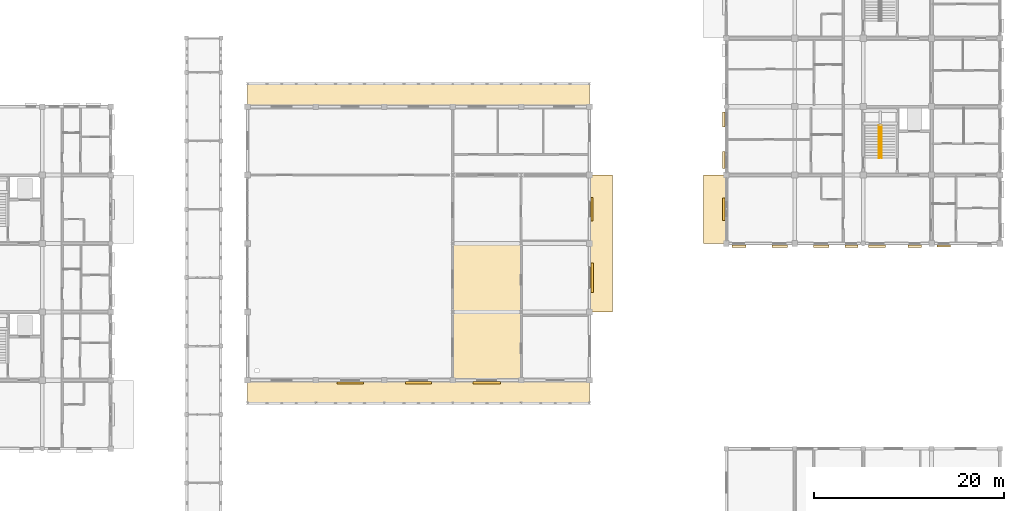
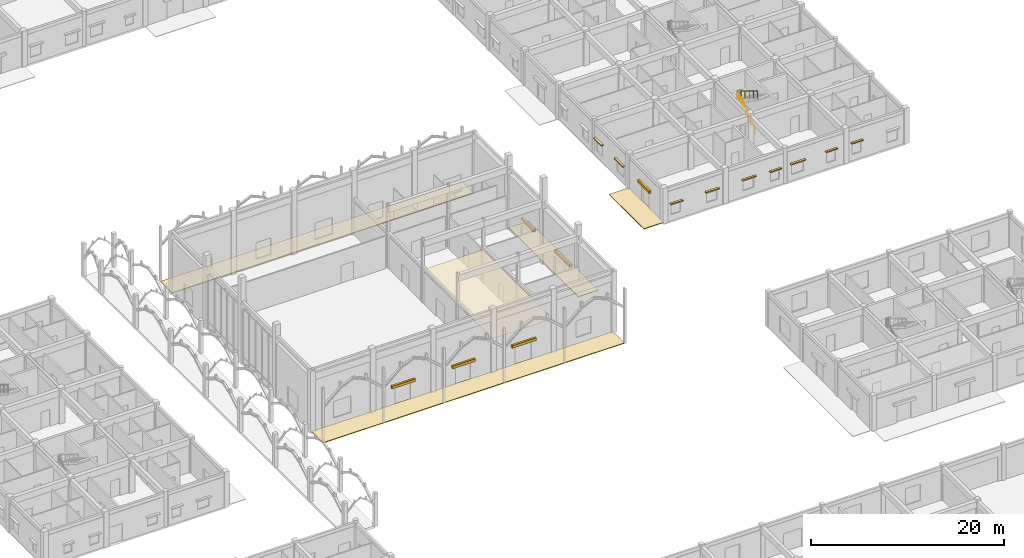
# One storey, part 132 of 138: 20 coverings, 2 railings.
"""IFC4 building model written with IfcOpenShell, lengths in metres."""

import ifcopenshell
import ifcopenshell.guid

model = None  # the IFC model being written
_history = None  # IfcOwnerHistory: only IFC2X3 demands one
_inside = {}  # id of a spatial element -> (the spatial element, [elements in it])
_under = {}  # id of a project, library or spatial element -> (it, [spatial elements below it])
_declared = {}  # id of a project -> (the project, [libraries it declares])
_typed = {}  # id of a type object -> (the type object, [elements of that type])
_made_of = {}  # id of a material, layer set ... -> (it, [elements and type objects made of it])


def new_model(schema):
    """Start an empty IFC model of exactly this schema.

    Asked for "IFC4X3", IfcOpenShell would pick the latest addendum, in which some entities
    have other attributes; the version numbers below select the first issue.
    IFC2X3 requires an IfcOwnerHistory on every rooted entity: one is made here for all.
    """
    global model, _history
    if schema == "IFC4X3":
        model = ifcopenshell.file(schema_version=(4, 3, 0, 0))
    else:
        model = ifcopenshell.file(schema=schema)
    _inside.clear()
    _under.clear()
    _declared.clear()
    _typed.clear()
    _made_of.clear()
    _history = None
    if model.schema == "IFC2X3":
        org = make("IfcOrganization", Name="unknown")
        user = make(
            "IfcPersonAndOrganization",
            ThePerson=make("IfcPerson", FamilyName="unknown"),
            TheOrganization=org,
        )
        app = make(
            "IfcApplication",
            ApplicationDeveloper=org,
            Version="unknown",
            ApplicationFullName="unknown",
            ApplicationIdentifier="unknown",
        )
        _history = make(
            "IfcOwnerHistory",
            OwningUser=user,
            OwningApplication=app,
            ChangeAction="ADDED",
            CreationDate=0,
        )
    return model


def make(cls, **values):
    """One entity of the class cls with the attributes given. An attribute that is None is left unset."""
    return model.create_entity(
        cls, **{name: value for name, value in values.items() if value is not None}
    )


def rooted(cls, **values):
    """An entity with a GlobalId (a new one), such as an element, a storey or a relation."""
    return make(cls, GlobalId=ifcopenshell.guid.new(), OwnerHistory=_history, **values)


def si_unit(unit_type, name, prefix=None):
    """IfcSIUnit, for example si_unit("LENGTHUNIT", "METRE", prefix="MILLI")."""
    return make("IfcSIUnit", UnitType=unit_type, Prefix=prefix, Name=name)


def assignment(units):
    """IfcUnitAssignment: the units of a project."""
    return None if units is None else make("IfcUnitAssignment", Units=units)


def point(xyz):
    """IfcCartesianPoint."""
    return None if xyz is None else make("IfcCartesianPoint", Coordinates=xyz)


def direction(xyz):
    """IfcDirection."""
    return None if xyz is None else make("IfcDirection", DirectionRatios=xyz)


def frame(location, z_axis=None, x_axis=None):
    """IfcAxis2Placement3D, a coordinate frame: its origin and axes. An axis left out is left unset."""
    return make(
        "IfcAxis2Placement3D",
        Location=point(location),
        Axis=direction(z_axis),
        RefDirection=direction(x_axis),
    )


def frame_2d(location, x_axis=None):
    """IfcAxis2Placement2D, a coordinate frame in the plane: its origin and x axis."""
    return make(
        "IfcAxis2Placement2D", Location=point(location), RefDirection=direction(x_axis)
    )


def origin():
    """The frame at (0, 0, 0) with its axes left unset."""
    return frame((0.0, 0.0, 0.0))


def origin_2d():
    """The frame at (0, 0) in the plane with its x axis left unset."""
    return frame_2d((0.0, 0.0))


def place(relative_to, where):
    """IfcLocalPlacement: puts the frame where relative to a parent placement (None: the world)."""
    return make(
        "IfcLocalPlacement", PlacementRelTo=relative_to, RelativePlacement=where
    )


def context(
    kind, dimensions, precision=None, world=None, true_north=None, identifier=None
):
    """IfcGeometricRepresentationContext, for example the 3D "Model" context."""
    return make(
        "IfcGeometricRepresentationContext",
        ContextIdentifier=identifier,
        ContextType=kind,
        CoordinateSpaceDimension=dimensions,
        Precision=precision,
        WorldCoordinateSystem=world,
        TrueNorth=true_north,
    )


def subcontext(parent, identifier, kind, view, scale=None):
    """IfcGeometricRepresentationSubContext, for example "Body" below "Model"."""
    return make(
        "IfcGeometricRepresentationSubContext",
        ContextIdentifier=identifier,
        ContextType=kind,
        ParentContext=parent,
        TargetScale=scale,
        TargetView=view,
    )


def project(units=None, contexts=None):
    """IfcProject with its units and contexts."""
    return rooted(
        "IfcProject",
        Name="project",
        RepresentationContexts=contexts,
        UnitsInContext=assignment(units),
    )


def spatial(cls, under=None, at=None, **own):
    """A site, building, storey or space (cls), placed at a placement, below another one or the project."""
    s = rooted(cls, ObjectPlacement=at, **own)
    if under is not None:
        _under.setdefault(under.id(), (under, []))[1].append(s)
    return s


def polyline(points):
    """IfcPolyline through the points."""
    return make("IfcPolyline", Points=[point(p) for p in points])


def profile(cls, at=None, kind="AREA", **sizes):
    """A parametric profile (cls). Its sizes go by their IFC names, for example OverallWidth=200.0."""
    return make(cls, ProfileType=kind, Position=at, **sizes)


def rectangle(**sizes):
    """IfcRectangleProfileDef."""
    return profile("IfcRectangleProfileDef", **sizes)


def circle(**sizes):
    """IfcCircleProfileDef."""
    return profile("IfcCircleProfileDef", **sizes)


def outline(outer, holes=None, kind="AREA"):
    """IfcArbitraryClosedProfileDef: a profile drawn as a closed curve; with holes, ...WithVoids."""
    if holes is None:
        return make("IfcArbitraryClosedProfileDef", ProfileType=kind, OuterCurve=outer)
    return make(
        "IfcArbitraryProfileDefWithVoids",
        ProfileType=kind,
        OuterCurve=outer,
        InnerCurves=holes,
    )


def extrude(swept, where, along, depth):
    """IfcExtrudedAreaSolid: the profile swept, set in the frame where, extruded along a direction by depth."""
    return make(
        "IfcExtrudedAreaSolid",
        SweptArea=swept,
        Position=where,
        ExtrudedDirection=direction(along),
        Depth=depth,
    )


def shape(context_of_items, identifier, shape_type, items):
    """IfcShapeRepresentation: the items that make up one representation, for example the "Body"."""
    return make(
        "IfcShapeRepresentation",
        ContextOfItems=context_of_items,
        RepresentationIdentifier=identifier,
        RepresentationType=shape_type,
        Items=items,
    )


def material(Name=None, Category=None):
    """IfcMaterial."""
    return make("IfcMaterial", Name=Name, Category=Category)


def layer(
    of_material, thickness, ventilated=None, Name=None, Category=None, Priority=None
):
    """IfcMaterialLayer: one layer of a wall or slab, of a material (None: an air gap)."""
    return make(
        "IfcMaterialLayer",
        Material=of_material,
        LayerThickness=thickness,
        IsVentilated=ventilated,
        Name=Name,
        Category=Category,
        Priority=Priority,
    )


def layer_set(layers, Name=None):
    """IfcMaterialLayerSet."""
    return make("IfcMaterialLayerSet", MaterialLayers=layers, LayerSetName=Name)


def made_of(thing, what):
    """Note that an element or type object is made of a material, layer set ...; save() writes the relation."""
    if what is not None:
        _made_of.setdefault(what.id(), (what, []))[1].append(thing)
    return thing


def type_object(cls, material=None, **own):
    """A type object (cls), such as IfcWallType, which elements share."""
    return made_of(rooted(cls, **own), material)


def element(
    cls,
    number,
    at=None,
    inside=None,
    cuts=None,
    type_object=None,
    material=None,
    context=None,
    identifier="Body",
    shape_type=None,
    held_by="IfcProductDefinitionShape",
    body=None,
    shapes=None,
    **own,
):
    """One element of the class cls, such as IfcWall. Its Tag is "e" and its number.

    at: its placement. inside: the storey or other place that contains it. cuts: it is an
    opening in that element (IfcRelVoidsElement). A single representation is given by context,
    identifier, shape_type and body (its items); several are given by shapes. held_by: the class
    of the entity that holds the representations. save() writes the other relations.
    """
    e = rooted(cls, Tag="e%d" % number, ObjectPlacement=at, **own)
    if body is not None:
        shapes = [shape(context, identifier, shape_type, body)]
    if shapes is not None:
        e.Representation = make(held_by, Representations=shapes)
    if inside is not None:
        _inside.setdefault(inside.id(), (inside, []))[1].append(e)
    if cuts is not None:
        rooted(
            "IfcRelVoidsElement", RelatingBuildingElement=cuts, RelatedOpeningElement=e
        )
    if type_object is not None:
        _typed.setdefault(type_object.id(), (type_object, []))[1].append(e)
    return made_of(e, material)


def aggregate(whole, parts):
    """IfcRelAggregates: a whole, such as a stair, and the parts it consists of."""
    return rooted("IfcRelAggregates", RelatingObject=whole, RelatedObjects=parts)


def save(model, path):
    """Write the relations noted so far, then the file.

    IfcRelAggregates (storeys below a building ...), IfcRelContainedInSpatialStructure (elements
    in a storey), IfcRelDefinesByType, IfcRelAssociatesMaterial and IfcRelDeclares: one each for
    every whole, place, type object, material and project.
    """
    for whole, parts in _under.values():
        aggregate(whole, parts)
    for where, things in _inside.values():
        rooted(
            "IfcRelContainedInSpatialStructure",
            RelatedElements=things,
            RelatingStructure=where,
        )
    for kind, things in _typed.values():
        rooted("IfcRelDefinesByType", RelatedObjects=things, RelatingType=kind)
    for what, things in _made_of.values():
        rooted("IfcRelAssociatesMaterial", RelatedObjects=things, RelatingMaterial=what)
    for by, libraries in _declared.values():
        rooted("IfcRelDeclares", RelatingContext=by, RelatedDefinitions=libraries)
    model.write(path)


model = new_model("IFC4")

# Units and contexts
model_context = context("Model", 3, precision=1e-05, world=origin(), true_north=direction((0.0, 1.0)))
body_context = subcontext(model_context, "Body", "Model", "MODEL_VIEW")
ifc_project = project(units=[si_unit("LENGTHUNIT", "METRE"), si_unit("AREAUNIT", "SQUARE_METRE"), si_unit("VOLUMEUNIT", "CUBIC_METRE"), si_unit("PLANEANGLEUNIT", "RADIAN"), si_unit("MASSUNIT", "GRAM", prefix="KILO"), si_unit("THERMODYNAMICTEMPERATUREUNIT", "KELVIN"), si_unit("POWERUNIT", "WATT")], contexts=[model_context])

# Site, building, storey
site_placement = place(None, origin())
site = spatial("IfcSite", under=ifc_project, at=site_placement, CompositionType="ELEMENT")
building_placement = place(site_placement, origin())
building = spatial("IfcBuilding", under=site, at=building_placement, Name="Tavuni Mirador Residences", CompositionType="ELEMENT")
storey_placement = place(building_placement, origin())
storey = spatial("IfcBuildingStorey", under=building, at=storey_placement, Name="L00", CompositionType="ELEMENT", Elevation=0.0)

# Coverings
ifc_material_1 = material(Name="Perforated mineral-fibre acoustic ceiling", Category="gypsum")
ifc_layer_1 = layer(ifc_material_1, 0.02490234375, Name="Perforated mineral-fibre acoustic ceiling", Category="gypsum")
ifc_layer_set_1 = layer_set([ifc_layer_1], Name="Perforated mineral-fibre acoustic ceiling")
covering_type_1 = type_object("IfcCoveringType", Name="CVT-CEIL-AC", PredefinedType="CEILING", material=ifc_layer_set_1)
covering_1_placement = place(storey_placement, frame((0.0, 0.0, 4.074951171875)))
element("IfcCovering", 1, at=covering_1_placement, inside=storey, type_object=covering_type_1, Name="CEIL-HALL-FOY", PredefinedType="CEILING", context=body_context, shape_type="SweptSolid", body=[
    extrude(outline(polyline([(61.199951171875, 72.0), (68.39990234375, 72.0), (68.39990234375, 86.39990234375), (61.199951171875, 86.39990234375), (61.199951171875, 72.0)])), origin(), (0.0, 0.0, 1.0), 0.025146484375),
])
ifc_material_2 = material(Name="Natural coral limestone", Category="masonry")
ifc_layer_2 = layer(ifc_material_2, 0.054931640625, Name="Natural coral limestone", Category="masonry")
ifc_layer_set_2 = layer_set([ifc_layer_2], Name="Natural coral limestone")
covering_type_2 = type_object("IfcCoveringType", Name="CVT-CLAD-CORAL", PredefinedType="CLADDING", material=ifc_layer_set_2)
covering_2_placement = place(storey_placement, frame((91.320068359375, 86.113037109375, 2.1650390625), z_axis=(0.0, 0.0, 1.0), x_axis=(1.0, 0.0, 0.0)))
element("IfcCovering", 2, at=covering_2_placement, inside=storey, type_object=covering_type_2, Name="HOOD-0844", PredefinedType="CLADDING", context=body_context, shape_type="SweptSolid", body=[
    extrude(rectangle(XDim=1.47998046875, YDim=0.25, at=origin_2d()), origin(), (0.0, 0.0, 1.0), 0.14990234375),
])
for number, where, z_axis, x_axis, name in (
    (3, (95.60009765625, 86.113037109375, 2.1650390625), (0.0, 0.0, 1.0), (1.0, 0.0, 0.0), "HOOD-0845"),
    (4, (99.969970703125, 86.12060546875, 2.1650390625), (0.0, 0.0, 1.0), (1.0, 0.0, 0.0), "HOOD-0846"),
):
    element("IfcCovering", number, at=place(storey_placement, frame(where, z_axis=z_axis, x_axis=x_axis)), inside=storey, type_object=covering_type_2, Name=name, PredefinedType="CLADDING", context=body_context, shape_type="SweptSolid", body=[
        extrude(rectangle(XDim=1.639892578125, YDim=0.25, at=origin_2d()), origin(), (0.0, 0.0, 1.0), 0.14990234375),
    ])
covering_3_placement = place(storey_placement, frame((103.14990234375, 86.12060546875, 2.06494140625), z_axis=(0.0, 0.0, 1.0), x_axis=(1.0, 0.0, 0.0)))
element("IfcCovering", 5, at=covering_3_placement, inside=storey, type_object=covering_type_2, Name="HOOD-0847", PredefinedType="CLADDING", context=body_context, shape_type="SweptSolid", body=[
    extrude(rectangle(XDim=1.3798828125, YDim=0.25, at=origin_2d()), origin(), (0.0, 0.0, 1.0), 0.14990234375),
])
covering_4_placement = place(storey_placement, frame((105.840087890625, 86.12548828125, 2.1650390625), z_axis=(0.0, 0.0, 1.0), x_axis=(1.0, 0.0, 0.0)))
element("IfcCovering", 6, at=covering_4_placement, inside=storey, type_object=covering_type_2, Name="HOOD-0848", PredefinedType="CLADDING", context=body_context, shape_type="SweptSolid", body=[
    extrude(rectangle(XDim=1.800048828125, YDim=0.25, at=origin_2d()), origin(), (0.0, 0.0, 1.0), 0.14990234375),
])
for number, where, z_axis, x_axis, name in (
    (7, (109.8349609375, 86.12548828125, 2.2451171875), (0.0, 0.0, 1.0), (1.0, 0.0, 0.0), "HOOD-0849"),
    (8, (112.875, 86.133056640625, 2.2451171875), (0.0, 0.0, 1.0), (1.0, 0.0, 0.0), "HOOD-0850"),
):
    element("IfcCovering", number, at=place(storey_placement, frame(where, z_axis=z_axis, x_axis=x_axis)), inside=storey, type_object=covering_type_2, Name=name, PredefinedType="CLADDING", context=body_context, shape_type="SweptSolid", body=[
        extrude(rectangle(XDim=1.389892578125, YDim=0.25, at=origin_2d()), origin(), (0.0, 0.0, 1.0), 0.14990234375),
    ])
covering_5_placement = place(storey_placement, frame((89.720458984375, 99.465087890625, 2.2451171875), z_axis=(0.0, 0.0, 1.0), x_axis=(0.0, -1.0, 0.0)))
element("IfcCovering", 9, at=covering_5_placement, inside=storey, type_object=covering_type_2, Name="HOOD-0882", PredefinedType="CLADDING", context=body_context, shape_type="SweptSolid", body=[
    extrude(rectangle(XDim=1.590087890625, YDim=0.25, at=origin_2d()), origin(), (0.0, 0.0, 1.0), 0.14990234375),
])
covering_6_placement = place(storey_placement, frame((89.720458984375, 95.1650390625, 2.2451171875), z_axis=(0.0, 0.0, 1.0), x_axis=(0.0, -1.0, 0.0)))
element("IfcCovering", 10, at=covering_6_placement, inside=storey, type_object=covering_type_2, Name="HOOD-0883", PredefinedType="CLADDING", context=body_context, shape_type="SweptSolid", body=[
    extrude(rectangle(XDim=1.7900390625, YDim=0.25, at=origin_2d()), origin(), (0.0, 0.0, 1.0), 0.14990234375),
])
covering_7_placement = place(storey_placement, frame((89.718017578125, 90.0, 2.25), z_axis=(0.0, 0.0, 1.0), x_axis=(0.0, -1.0, 0.0)))
element("IfcCovering", 11, at=covering_7_placement, inside=storey, type_object=covering_type_2, Name="CLAD-BLK-D-W00", PredefinedType="CLADDING", context=body_context, shape_type="SweptSolid", body=[
    extrude(rectangle(XDim=2.39990234375, YDim=0.239990234375, at=origin_2d()), origin(), (0.0, 0.0, 1.0), 0.340087890625),
])
covering_8_placement = place(storey_placement, frame((50.39990234375, 71.7255859375, 2.25), z_axis=(0.0, 0.0, 1.0), x_axis=(1.0, 0.0, 0.0)))
element("IfcCovering", 12, at=covering_8_placement, inside=storey, type_object=covering_type_2, Name="CLAD-PAV-HALL-S01", PredefinedType="CLADDING", context=body_context, shape_type="SweptSolid", body=[
    extrude(rectangle(XDim=2.800048828125, YDim=0.239990234375, at=origin_2d()), origin(), (0.0, 0.0, 1.0), 0.340087890625),
])
covering_9_placement = place(storey_placement, frame((57.60009765625, 71.73046875, 2.25), z_axis=(0.0, 0.0, 1.0), x_axis=(1.0, 0.0, 0.0)))
element("IfcCovering", 13, at=covering_9_placement, inside=storey, type_object=covering_type_2, Name="CLAD-PAV-HALL-S02", PredefinedType="CLADDING", context=body_context, shape_type="SweptSolid", body=[
    extrude(rectangle(XDim=2.699951171875, YDim=0.239990234375, at=origin_2d()), origin(), (0.0, 0.0, 1.0), 0.340087890625),
])
covering_10_placement = place(storey_placement, frame((64.800048828125, 71.738037109375, 2.35009765625), z_axis=(0.0, 0.0, 1.0), x_axis=(1.0, 0.0, 0.0)))
element("IfcCovering", 14, at=covering_10_placement, inside=storey, type_object=covering_type_2, Name="CLAD-PAV-HALL-S03", PredefinedType="CLADDING", context=body_context, shape_type="SweptSolid", body=[
    extrude(rectangle(XDim=2.89990234375, YDim=0.239990234375, at=origin_2d()), origin(), (0.0, 0.0, 1.0), 0.340087890625),
])
covering_11_placement = place(storey_placement, frame((75.87451171875, 82.800048828125, 2.39990234375), z_axis=(0.0, 0.0, 1.0), x_axis=(0.0, 1.0, 0.0)))
element("IfcCovering", 15, at=covering_11_placement, inside=storey, type_object=covering_type_2, Name="CLAD-PAV-HALL-E01", PredefinedType="CLADDING", context=body_context, shape_type="SweptSolid", body=[
    extrude(rectangle(XDim=3.10009765625, YDim=0.239990234375, at=origin_2d()), origin(), (0.0, 0.0, 1.0), 0.340087890625),
])
covering_12_placement = place(storey_placement, frame((75.869384765625, 90.0, 2.2998046875), z_axis=(0.0, 0.0, 1.0), x_axis=(0.0, 1.0, 0.0)))
element("IfcCovering", 16, at=covering_12_placement, inside=storey, type_object=covering_type_2, Name="CLAD-PAV-HALL-E02", PredefinedType="CLADDING", context=body_context, shape_type="SweptSolid", body=[
    extrude(rectangle(XDim=2.5, YDim=0.239990234375, at=origin_2d()), origin(), (0.0, 0.0, 1.0), 0.340087890625),
])
ifc_material_3 = material(Name="Dressed coral-stone paving", Category="masonry")
ifc_layer_3 = layer(ifc_material_3, 0.080078125, Name="Dressed coral-stone paving", Category="masonry")
ifc_layer_set_3 = layer_set([ifc_layer_3], Name="Dressed coral-stone paving")
covering_type_3 = type_object("IfcCoveringType", Name="CVT-PAV-COURT", PredefinedType="USERDEFINED", material=ifc_layer_set_3)
covering_13_placement = place(storey_placement, frame((0.0, 0.0, -0.080078125)))
element("IfcCovering", 17, at=covering_13_placement, inside=storey, type_object=covering_type_3, Name="PAV-HALL-EAVE-S", ObjectType="PAVING", PredefinedType="USERDEFINED", context=body_context, shape_type="SweptSolid", body=[
    extrude(outline(polyline([(39.60009765625, 69.60009765625), (75.60009765625, 69.60009765625), (75.60009765625, 72.0), (39.60009765625, 72.0), (39.60009765625, 69.60009765625)])), origin(), (0.0, 0.0, 1.0), 0.080078125),
])
covering_14_placement = place(storey_placement, frame((0.0, 0.0, -0.080078125)))
element("IfcCovering", 18, at=covering_14_placement, inside=storey, type_object=covering_type_3, Name="PAV-HALL-EAVE-N", ObjectType="PAVING", PredefinedType="USERDEFINED", context=body_context, shape_type="SweptSolid", body=[
    extrude(outline(polyline([(39.60009765625, 100.800048828125), (75.60009765625, 100.800048828125), (75.60009765625, 103.199951171875), (39.60009765625, 103.199951171875), (39.60009765625, 100.800048828125)])), origin(), (0.0, 0.0, 1.0), 0.080078125),
])
covering_15_placement = place(storey_placement, frame((0.0, 0.0, -0.080078125)))
element("IfcCovering", 19, at=covering_15_placement, inside=storey, type_object=covering_type_3, Name="PAV-APR-BLKD-W1", ObjectType="PAVING", PredefinedType="USERDEFINED", context=body_context, shape_type="SweptSolid", body=[
    extrude(outline(polyline([(87.60009765625, 86.39990234375), (90.0, 86.39990234375), (90.0, 93.60009765625), (87.60009765625, 93.60009765625), (87.60009765625, 86.39990234375)])), origin(), (0.0, 0.0, 1.0), 0.080078125),
])
covering_16_placement = place(storey_placement, frame((0.0, 0.0, -0.080078125)))
element("IfcCovering", 20, at=covering_16_placement, inside=storey, type_object=covering_type_3, Name="PAV-APR-HALL-E", ObjectType="PAVING", PredefinedType="USERDEFINED", context=body_context, shape_type="SweptSolid", body=[
    extrude(outline(polyline([(75.60009765625, 79.199951171875), (78.0, 79.199951171875), (78.0, 93.60009765625), (75.60009765625, 93.60009765625), (75.60009765625, 79.199951171875)])), origin(), (0.0, 0.0, 1.0), 0.080078125),
])

# Railings
ifc_material_4 = material(Name="Structural steel S355", Category="steel")
railing_type = type_object("IfcRailingType", Name="RT-HR920", PredefinedType="HANDRAIL", material=ifc_material_4)
railing_1_placement = place(storey_placement, frame((106.050048828125, 95.39990234375, 0.173095703125)))
element("IfcRailing", 21, at=railing_1_placement, inside=storey, type_object=railing_type, Name="HR-ST7-L00-F1", PredefinedType="HANDRAIL", context=body_context, shape_type="SweptSolid", body=[
    extrude(circle(Radius=0.02392578125, at=origin_2d()), frame((0.0, 0.0, 0.89599609375), z_axis=(0.0, 0.854745945586, 0.519046595696), x_axis=(-1.0, 0.0, 0.0)), (0.0, 0.0, 1.0), 4.00146484375),
    extrude(circle(Radius=0.02099609375, at=origin_2d()), origin(), (0.0, 0.0, 1.0), 0.871826171875),
    extrude(circle(Radius=0.02099609375, at=origin_2d()), frame((0.0, 0.85498046875, 0.519287109375)), (0.0, 0.0, 1.0), 0.871826171875),
    extrude(circle(Radius=0.02099609375, at=origin_2d()), frame((0.0, 1.7099609375, 1.03857421875)), (0.0, 0.0, 1.0), 0.871826171875),
    extrude(circle(Radius=0.02099609375, at=origin_2d()), frame((0.0, 2.565185546875, 1.5576171875)), (0.0, 0.0, 1.0), 0.871826171875),
    extrude(circle(Radius=0.02099609375, at=origin_2d()), frame((0.0, 3.420166015625, 2.076904296875)), (0.0, 0.0, 1.0), 0.871826171875),
])
railing_2_placement = place(storey_placement, frame((106.35009765625, 98.820068359375, 2.423095703125)))
element("IfcRailing", 22, at=railing_2_placement, inside=storey, type_object=railing_type, Name="HR-ST7-L00-F2", PredefinedType="HANDRAIL", context=body_context, shape_type="SweptSolid", body=[
    extrude(circle(Radius=0.02392578125, at=origin_2d()), frame((0.0, 0.0, 0.89599609375), z_axis=(0.0, -0.854745945586, 0.519046595696), x_axis=(1.0, 0.0, 0.0)), (0.0, 0.0, 1.0), 4.00146484375),
    extrude(circle(Radius=0.02099609375, at=origin_2d()), origin(), (0.0, 0.0, 1.0), 0.871826171875),
    extrude(circle(Radius=0.02099609375, at=origin_2d()), frame((0.0, -0.85498046875, 0.519287109375)), (0.0, 0.0, 1.0), 0.871826171875),
    extrude(circle(Radius=0.02099609375, at=origin_2d()), frame((0.0, -1.7099609375, 1.03857421875)), (0.0, 0.0, 1.0), 0.871826171875),
    extrude(circle(Radius=0.02099609375, at=origin_2d()), frame((0.0, -2.565185546875, 1.5576171875)), (0.0, 0.0, 1.0), 0.871826171875),
    extrude(circle(Radius=0.02099609375, at=origin_2d()), frame((0.0, -3.420166015625, 2.076904296875)), (0.0, 0.0, 1.0), 0.871826171875),
])

save(model, "model.ifc")
